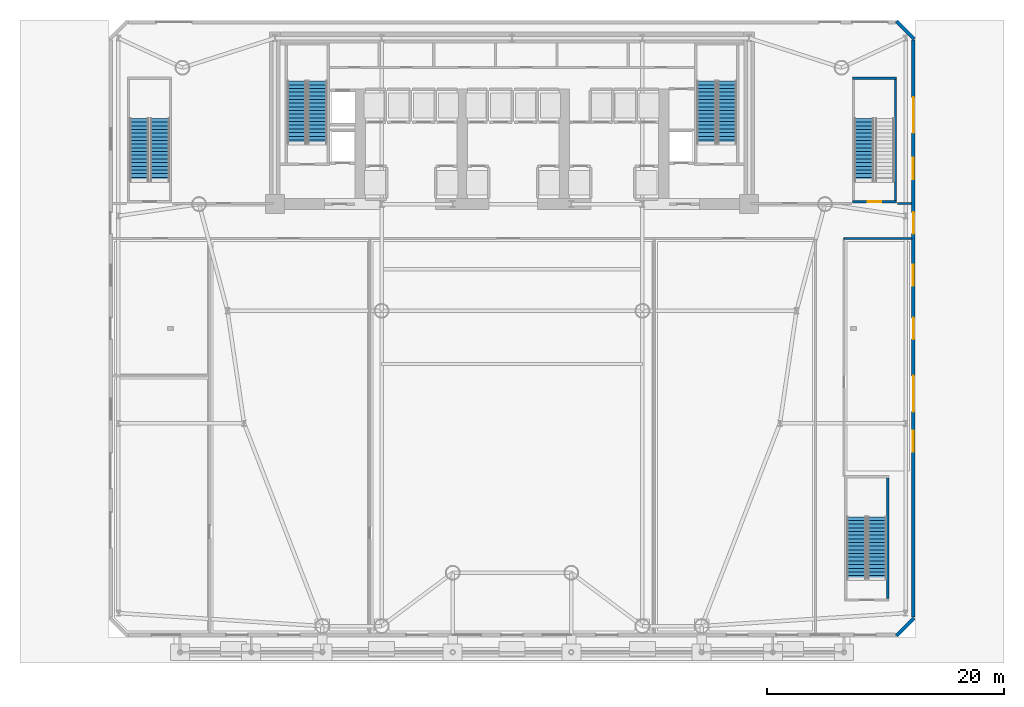
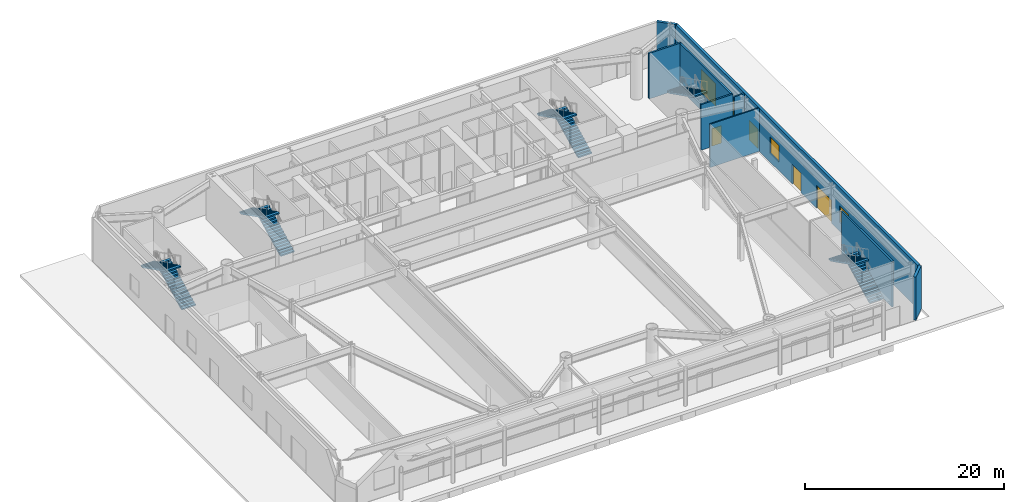
# One storey, part 11 of 20: 9 stair flights, 9 walls, 5 doors, 3 windows, 8 openings, 5 elements without a shape of their own.
"""IFC4 building model written with IfcOpenShell, lengths in metres."""

from ifc_helpers import new_model, si_unit, direction, frame, frame_2d, origin, place, context, subcontext, project, spatial, polyline, rectangle, outline, extrude, source, transform, mapped, material, layer, layer_set, type_object, element, fill, aggregate, save


model = new_model("IFC4")

# Units and contexts
model_context = context("Model", 3, precision=1e-05, world=origin(), true_north=direction((0.0, 1.0)))
body_context = subcontext(model_context, "Body", "Model", "MODEL_VIEW")
ifc_project = project(units=[si_unit("LENGTHUNIT", "METRE"), si_unit("AREAUNIT", "SQUARE_METRE"), si_unit("VOLUMEUNIT", "CUBIC_METRE"), si_unit("PLANEANGLEUNIT", "RADIAN"), si_unit("MASSUNIT", "GRAM", prefix="KILO")], contexts=[model_context])

# Site, building, storey
site_placement = place(None, origin())
site = spatial("IfcSite", under=ifc_project, at=site_placement, CompositionType="ELEMENT")
building_placement = place(site_placement, origin())
building = spatial("IfcBuilding", under=site, at=building_placement, Name="Vaeldorn Concourse Tower", CompositionType="ELEMENT")
storey_placement = place(building_placement, origin())
storey = spatial("IfcBuildingStorey", under=building, at=storey_placement, Name="L00", CompositionType="ELEMENT", Elevation=0.0)

# Wall
ifc_material_1 = material(Name="Precast concrete C40/50", Category="concrete")
ifc_layer_1 = layer(ifc_material_1, 0.300048828125)
ifc_layer_set_1 = layer_set([ifc_layer_1], Name="Precast concrete C40/50")
wall_type_1 = type_object("IfcWallType", Name="WL-EXT-STATION-300", PredefinedType="STANDARD", material=ifc_layer_set_1)
wall_1_placement = place(storey_placement, frame((66.42919921875, 51.920654296875, 0.0), z_axis=(0.0, 0.0, 1.0), x_axis=(0.707106781187, -0.707106781187, 0.0)))
element("IfcWall", 1, at=wall_1_placement, inside=storey, type_object=wall_type_1, Name="Station Ground Exterior Wall EW-L00-NE", PredefinedType="STANDARD", context=body_context, shape_type="SweptSolid", body=[
    extrude(rectangle(XDim=2.109130859375, YDim=0.300048828125, at=frame_2d((1.0546875, 0.0))), origin(), (0.0, 0.0, 1.0), 5.320068359375),
])

# Wall, openings, doors, windows
wall_2_placement = place(storey_placement, frame((67.85009765625, 50.340087890625, 0.0), z_axis=(0.0, 0.0, 1.0), x_axis=(0.0, -1.0, 0.0)))
wall_2 = element("IfcWall", 2, at=wall_2_placement, inside=storey, type_object=wall_type_1, Name="Station Ground Exterior Wall EW-L00-E", PredefinedType="STANDARD", context=body_context, shape_type="SweptSolid", body=[
    extrude(rectangle(XDim=48.68017578125, YDim=0.300048828125, at=frame_2d((24.340087890625, 0.0))), origin(), (0.0, 0.0, 1.0), 5.320068359375),
])
opening_1_placement = place(wall_2_placement, frame((14.5400390625, 0.0, 0.0)))
opening_1 = element("IfcOpeningElement", 3, at=opening_1_placement, cuts=wall_2, Name="Opening EX-1", PredefinedType="OPENING", context=body_context, shape_type="SweptSolid", body=[
    extrude(rectangle(XDim=1.800048828125, YDim=2.39990234375, at=frame_2d((0.89990234375, 1.199951171875))), frame((0.0, 0.16015625, 0.0), z_axis=(0.0, -1.0, 0.0), x_axis=(1.0, 0.0, 0.0)), (0.0, 0.0, 1.0), 0.320068359375),
])
opening_2_placement = place(wall_2_placement, frame((23.43994140625, 0.0, 0.0)))
opening_2 = element("IfcOpeningElement", 4, at=opening_2_placement, cuts=wall_2, Name="Opening EX-1", PredefinedType="OPENING", context=body_context, shape_type="SweptSolid", body=[
    extrude(rectangle(XDim=1.800048828125, YDim=2.39990234375, at=frame_2d((0.89990234375, 1.199951171875))), frame((0.0, 0.16015625, 0.0), z_axis=(0.0, -1.0, 0.0), x_axis=(1.0, 0.0, 0.0)), (0.0, 0.0, 1.0), 0.320068359375),
])
opening_3_placement = place(wall_2_placement, frame((4.840087890625, 0.0, 0.0)))
opening_3 = element("IfcOpeningElement", 5, at=opening_3_placement, cuts=wall_2, Name="Opening GT-1", PredefinedType="OPENING", context=body_context, shape_type="SweptSolid", body=[
    extrude(rectangle(XDim=3.0, YDim=2.800048828125, at=frame_2d((1.5, 1.39990234375))), frame((0.0, 0.16015625, 0.0), z_axis=(0.0, -1.0, 0.0), x_axis=(1.0, 0.0, 0.0)), (0.0, 0.0, 1.0), 0.320068359375),
])
opening_4_placement = place(wall_2_placement, frame((28.340087890625, 0.0, 0.0)))
opening_4 = element("IfcOpeningElement", 6, at=opening_4_placement, cuts=wall_2, Name="Opening GT-1", PredefinedType="OPENING", context=body_context, shape_type="SweptSolid", body=[
    extrude(rectangle(XDim=3.0, YDim=2.800048828125, at=frame_2d((1.5, 1.39990234375))), frame((0.0, 0.16015625, 0.0), z_axis=(0.0, -1.0, 0.0), x_axis=(1.0, 0.0, 0.0)), (0.0, 0.0, 1.0), 0.320068359375),
])
opening_5_placement = place(wall_2_placement, frame((32.93994140625, 0.0, 1.10009765625)))
opening_5 = element("IfcOpeningElement", 7, at=opening_5_placement, cuts=wall_2, Name="Opening WN-2", PredefinedType="OPENING", context=body_context, shape_type="SweptSolid", body=[
    extrude(rectangle(XDim=1.800048828125, YDim=2.0, at=frame_2d((0.89990234375, 1.0))), frame((0.0, 0.16015625, 0.0), z_axis=(0.0, -1.0, 0.0), x_axis=(1.0, 0.0, 0.0)), (0.0, 0.0, 1.0), 0.320068359375),
])
opening_6_placement = place(wall_2_placement, frame((18.93994140625, 0.0, 1.10009765625)))
opening_6 = element("IfcOpeningElement", 8, at=opening_6_placement, cuts=wall_2, Name="Opening WN-2", PredefinedType="OPENING", context=body_context, shape_type="SweptSolid", body=[
    extrude(rectangle(XDim=1.800048828125, YDim=2.0, at=frame_2d((0.89990234375, 1.0))), frame((0.0, 0.16015625, 0.0), z_axis=(0.0, -1.0, 0.0), x_axis=(1.0, 0.0, 0.0)), (0.0, 0.0, 1.0), 0.320068359375),
])
opening_7_placement = place(wall_2_placement, frame((9.93994140625, 0.0, 1.10009765625)))
opening_7 = element("IfcOpeningElement", 9, at=opening_7_placement, cuts=wall_2, Name="Opening WN-2", PredefinedType="OPENING", context=body_context, shape_type="SweptSolid", body=[
    extrude(rectangle(XDim=1.800048828125, YDim=2.0, at=frame_2d((0.89990234375, 1.0))), frame((0.0, 0.16015625, 0.0), z_axis=(0.0, -1.0, 0.0), x_axis=(1.0, 0.0, 0.0)), (0.0, 0.0, 1.0), 0.320068359375),
])
ifc_material_2 = material(Name="Anodised Bronze Aluminium", Category="aluminium")
door_type_1 = type_object("IfcDoorType", Name="DR-EXTERIOR-1800", OperationType="DOUBLE_DOOR_SINGLE_SWING", PredefinedType="DOOR", material=ifc_material_2)
shared_shape_1 = source(origin(), body_context, "Body", "SweptSolid", [
    extrude(rectangle(XDim=1.800048828125, YDim=2.39990234375, at=frame_2d((0.89990234375, 1.199951171875))), frame((0.0, 0.02490234375, 0.0), z_axis=(0.0, -1.0, 0.0), x_axis=(1.0, 0.0, 0.0)), (0.0, 0.0, 1.0), 0.050048828125),
])
door_1_placement = place(opening_1_placement, origin())
door_1 = element("IfcDoor", 10, at=door_1_placement, inside=storey, type_object=door_type_1, Name="Pedestrian Final Exit Door EX-10", OperationType="DOUBLE_DOOR_SINGLE_SWING", OverallHeight=2.39990234375, OverallWidth=1.800048828125, PredefinedType="DOOR", context=body_context, shape_type="MappedRepresentation", body=[
    mapped(shared_shape_1, transform((0.0, 0.0, 0.0), scale=1.0)),
])
fill(opening_1, door_1)
door_2_placement = place(opening_2_placement, origin())
door_2 = element("IfcDoor", 11, at=door_2_placement, inside=storey, type_object=door_type_1, Name="Pedestrian Final Exit Door EX-11", OperationType="DOUBLE_DOOR_SINGLE_SWING", OverallHeight=2.39990234375, OverallWidth=1.800048828125, PredefinedType="DOOR", context=body_context, shape_type="MappedRepresentation", body=[
    mapped(shared_shape_1, transform((0.0, 0.0, 0.0), scale=1.0)),
])
fill(opening_2, door_2)
ifc_material_3 = material(Name="Galvanised Steel Cladding", Category="steel")
door_type_2 = type_object("IfcDoorType", Name="DR-OUTSIDE-3000", OperationType="ROLLINGUP", PredefinedType="GATE", material=ifc_material_3)
shared_shape_2 = source(origin(), body_context, "Body", "SweptSolid", [
    extrude(rectangle(XDim=3.0, YDim=2.800048828125, at=frame_2d((1.5, 1.39990234375))), frame((0.0, 0.02490234375, 0.0), z_axis=(0.0, -1.0, 0.0), x_axis=(1.0, 0.0, 0.0)), (0.0, 0.0, 1.0), 0.050048828125),
])
door_3_placement = place(opening_3_placement, origin())
door_3 = element("IfcDoor", 12, at=door_3_placement, inside=storey, type_object=door_type_2, Name="Service Yard Roller Shutter Gate 5", OperationType="ROLLINGUP", OverallHeight=2.800048828125, OverallWidth=3.0, PredefinedType="GATE", context=body_context, shape_type="MappedRepresentation", body=[
    mapped(shared_shape_2, transform((0.0, 0.0, 0.0), scale=1.0)),
])
fill(opening_3, door_3)
door_4_placement = place(opening_4_placement, origin())
door_4 = element("IfcDoor", 13, at=door_4_placement, inside=storey, type_object=door_type_2, Name="Service Yard Roller Shutter Gate 6", OperationType="ROLLINGUP", OverallHeight=2.800048828125, OverallWidth=3.0, PredefinedType="GATE", context=body_context, shape_type="MappedRepresentation", body=[
    mapped(shared_shape_2, transform((0.0, 0.0, 0.0), scale=1.0)),
])
fill(opening_4, door_4)
ifc_material_4 = material(Name="Bronze Tinted Low-E Insulated Glass", Category="glass")
window_type = type_object("IfcWindowType", Name="WN-POD-1800x2000", PartitioningType="SINGLE_PANEL", PredefinedType="WINDOW", material=ifc_material_4)
shared_shape_3 = source(origin(), body_context, "Body", "SweptSolid", [
    extrude(rectangle(XDim=1.800048828125, YDim=2.0, at=frame_2d((0.89990234375, 1.0))), frame((0.0, 0.030029296875, 0.0), z_axis=(0.0, -1.0, 0.0), x_axis=(1.0, 0.0, 0.0)), (0.0, 0.0, 1.0), 0.06005859375),
])
window_1_placement = place(opening_5_placement, origin())
window_1 = element("IfcWindow", 14, at=window_1_placement, inside=storey, type_object=window_type, Name="Station East Window WN-E01", OverallHeight=2.0, OverallWidth=1.800048828125, PartitioningType="SINGLE_PANEL", PredefinedType="WINDOW", context=body_context, shape_type="MappedRepresentation", body=[
    mapped(shared_shape_3, transform((0.0, 0.0, 0.0), scale=1.0)),
])
fill(opening_5, window_1)
window_2_placement = place(opening_6_placement, origin())
window_2 = element("IfcWindow", 15, at=window_2_placement, inside=storey, type_object=window_type, Name="Station East Window WN-E02", OverallHeight=2.0, OverallWidth=1.800048828125, PartitioningType="SINGLE_PANEL", PredefinedType="WINDOW", context=body_context, shape_type="MappedRepresentation", body=[
    mapped(shared_shape_3, transform((0.0, 0.0, 0.0), scale=1.0)),
])
fill(opening_6, window_2)
window_3_placement = place(opening_7_placement, origin())
window_3 = element("IfcWindow", 16, at=window_3_placement, inside=storey, type_object=window_type, Name="Station East Window WN-E03", OverallHeight=2.0, OverallWidth=1.800048828125, PartitioningType="SINGLE_PANEL", PredefinedType="WINDOW", context=body_context, shape_type="MappedRepresentation", body=[
    mapped(shared_shape_3, transform((0.0, 0.0, 0.0), scale=1.0)),
])
fill(opening_7, window_3)

# Walls
wall_3_placement = place(storey_placement, frame((67.920654296875, 1.57080078125, 0.0), z_axis=(0.0, 0.0, 1.0), x_axis=(-0.707106781187, -0.707106781187, 0.0)))
element("IfcWall", 17, at=wall_3_placement, inside=storey, type_object=wall_type_1, Name="Station Ground Exterior Wall EW-L00-SE", PredefinedType="STANDARD", context=body_context, shape_type="SweptSolid", body=[
    extrude(rectangle(XDim=2.109130859375, YDim=0.300048828125, at=frame_2d((1.0546875, 0.0))), origin(), (0.0, 0.0, 1.0), 5.320068359375),
])
ifc_material_5 = material(Name="Gypsum Board Partition", Category="gypsum")
ifc_layer_2 = layer(ifc_material_5, 0.14990234375)
ifc_layer_set_2 = layer_set([ifc_layer_2], Name="Gypsum Board Partition")
wall_type_2 = type_object("IfcWallType", Name="WL-PART-150", PredefinedType="PARTITIONING", material=ifc_layer_set_2)
wall_4_placement = place(storey_placement, frame((62.0, 33.60009765625, 0.0), z_axis=(0.0, 0.0, 1.0), x_axis=(1.0, 0.0, 0.0)))
element("IfcWall", 18, at=wall_4_placement, inside=storey, type_object=wall_type_2, Name="Interior Wall PW-L00-CORE", PredefinedType="PARTITIONING", context=body_context, shape_type="SweptSolid", body=[
    extrude(rectangle(XDim=5.699951171875, YDim=0.14990234375, at=frame_2d((2.85009765625, 0.0))), origin(), (0.0, 0.0, 1.0), 5.320068359375),
])

# Wall, opening, door
ifc_material_6 = material(Name="Concrete C50/60", Category="concrete")
ifc_layer_3 = layer(ifc_material_6, 0.199951171875)
ifc_layer_set_3 = layer_set([ifc_layer_3], Name="Concrete C50/60")
wall_type_3 = type_object("IfcWallType", Name="WL-SHAFT-200", PredefinedType="SOLIDWALL", material=ifc_layer_set_3)
wall_5_placement = place(storey_placement, frame((62.699951171875, 36.699951171875, 0.0), z_axis=(0.0, 0.0, 1.0), x_axis=(1.0, 0.0, 0.0)))
wall_5 = element("IfcWall", 19, at=wall_5_placement, inside=storey, type_object=wall_type_3, Name="Stair Shaft Wall CW-L00-ST-4-S", PredefinedType="SOLIDWALL", context=body_context, shape_type="SweptSolid", body=[
    extrude(rectangle(XDim=3.75, YDim=0.199951171875, at=frame_2d((1.875, 0.0))), origin(), (0.0, 0.0, 1.0), 5.60009765625),
])
opening_8_placement = place(wall_5_placement, frame((1.324951171875, 0.0, 0.0)))
opening_8 = element("IfcOpeningElement", 20, at=opening_8_placement, cuts=wall_5, Name="Opening D-01", PredefinedType="OPENING", context=body_context, shape_type="SweptSolid", body=[
    extrude(rectangle(XDim=1.10009765625, YDim=2.14990234375, at=frame_2d((0.550048828125, 1.074951171875))), frame((0.0, 0.10986328125, 0.0), z_axis=(0.0, -1.0, 0.0), x_axis=(1.0, 0.0, 0.0)), (0.0, 0.0, 1.0), 0.219970703125),
])
ifc_material_7 = material(Name="Fire-Rated Timber and Steel Leaf", Category="steel")
door_type_3 = type_object("IfcDoorType", Name="DR-FD60-1100", OperationType="NOTDEFINED", PredefinedType="DOOR", material=ifc_material_7)
shared_shape_4 = source(origin(), body_context, "Body", "SweptSolid", [
    extrude(rectangle(XDim=1.10009765625, YDim=2.14990234375, at=frame_2d((0.550048828125, 1.074951171875))), frame((0.0, 0.02490234375, 0.0), z_axis=(0.0, -1.0, 0.0), x_axis=(1.0, 0.0, 0.0)), (0.0, 0.0, 1.0), 0.050048828125),
])
door_5_placement = place(opening_8_placement, origin())
door_5 = element("IfcDoor", 21, at=door_5_placement, inside=storey, type_object=door_type_3, Name="Interior Door DR-L00-ST-4", OperationType="SINGLE_SWING_RIGHT", OverallHeight=2.14990234375, OverallWidth=1.10009765625, PredefinedType="DOOR", context=body_context, shape_type="MappedRepresentation", body=[
    mapped(shared_shape_4, transform((0.0, 0.0, 0.0), scale=1.0)),
])
fill(opening_8, door_5)

# Walls
wall_6_placement = place(storey_placement, frame((62.699951171875, 47.10009765625, 0.0), z_axis=(0.0, 0.0, 1.0), x_axis=(1.0, 0.0, 0.0)))
element("IfcWall", 22, at=wall_6_placement, inside=storey, type_object=wall_type_3, Name="Stair Shaft Wall CW-L00-ST-4-N", PredefinedType="SOLIDWALL", context=body_context, shape_type="SweptSolid", body=[
    extrude(rectangle(XDim=3.75, YDim=0.199951171875, at=frame_2d((1.875, 0.0))), origin(), (0.0, 0.0, 1.0), 5.60009765625),
])
for number, where, z_axis, x_axis, name in (
    (23, (66.35009765625, 36.81005859375, 0.0), (0.0, 0.0, 1.0), (0.0, 1.0, 0.0), "Stair Shaft Wall CW-L00-ST-4-E"),
    (24, (65.699951171875, 3.2099609375, 0.0), (0.0, 0.0, 1.0), (0.0, 1.0, 0.0), "Stair Shaft Wall CW-L00-ST-5-E"),
):
    element("IfcWall", number, at=place(storey_placement, frame(where, z_axis=z_axis, x_axis=x_axis)), inside=storey, type_object=wall_type_3, Name=name, PredefinedType="SOLIDWALL", context=body_context, shape_type="SweptSolid", body=[
        extrude(rectangle(XDim=10.179931640625, YDim=0.199951171875, at=frame_2d((5.08984375, 0.0))), origin(), (0.0, 0.0, 1.0), 5.60009765625),
    ])
wall_7_placement = place(storey_placement, frame((66.5, 36.550048828125, 0.0), z_axis=(0.0, 0.0, 1.0), x_axis=(1.0, 0.0, 0.0)))
element("IfcWall", 25, at=wall_7_placement, inside=storey, type_object=wall_type_3, Name="Interior Wall PW-L00-BNE2", PredefinedType="SOLIDWALL", context=body_context, shape_type="SweptSolid", body=[
    extrude(rectangle(XDim=1.199951171875, YDim=0.199951171875, at=frame_2d((0.60009765625, 0.0))), origin(), (0.0, 0.0, 1.0), 5.320068359375),
])

# Stair, stair flights
stair_type = type_object("IfcStairType", Name="STR-DOG-36x156", PredefinedType="HALF_TURN_STAIR", material=ifc_material_1)
stair_1_placement = place(storey_placement, origin())
stair_1 = element("IfcStair", 26, at=stair_1_placement, inside=storey, type_object=stair_type, Name="L00 West Core Exit Stair ST-1", PredefinedType="HALF_TURN_STAIR")
stair_flight_type = type_object("IfcStairFlightType", Name="STF-STR-18x156", PredefinedType="STRAIGHT", material=ifc_material_1)
stair_flight_1_placement = place(storey_placement, frame((17.60009765625, 41.60009765625, 0.0), z_axis=(0.0, 0.0, 1.0), x_axis=(0.0, 1.0, 0.0)))
stair_flight_1 = element("IfcStairFlight", 27, at=stair_flight_1_placement, type_object=stair_flight_type, Name="ST-1 flight 1", NumberOfRisers=18, NumberOfTreads=17, PredefinedType="STRAIGHT", RiserHeight=0.155555556, TreadLength=0.31, context=body_context, shape_type="SweptSolid", body=[
    extrude(outline(polyline([(0.0, 0.0), (0.0, 0.155517578125), (0.31005859375, 0.155517578125), (0.31005859375, 0.31103515625), (0.6201171875, 0.31103515625), (0.6201171875, 0.466552734375), (0.929931640625, 0.466552734375), (0.929931640625, 0.622314453125), (1.239990234375, 0.622314453125), (1.239990234375, 0.77783203125), (1.550048828125, 0.77783203125), (1.550048828125, 0.933349609375), (1.860107421875, 0.933349609375), (1.860107421875, 1.0888671875), (2.169921875, 1.0888671875), (2.169921875, 1.244384765625), (2.47998046875, 1.244384765625), (2.47998046875, 1.39990234375), (2.7900390625, 1.39990234375), (2.7900390625, 1.5556640625), (3.10009765625, 1.5556640625), (3.10009765625, 1.711181640625), (3.409912109375, 1.711181640625), (3.409912109375, 1.86669921875), (3.719970703125, 1.86669921875), (3.719970703125, 2.022216796875), (4.030029296875, 2.022216796875), (4.030029296875, 2.177734375), (4.340087890625, 2.177734375), (4.340087890625, 2.333251953125), (4.64990234375, 2.333251953125), (4.64990234375, 2.48876953125), (4.9599609375, 2.48876953125), (4.9599609375, 2.64453125), (5.27001953125, 2.64453125), (5.27001953125, 2.800048828125), (5.27001953125, 2.476806640625), (0.334228515625, 0.0), (0.0, 0.0)])), frame((0.0, 0.800048828125, 0.0), z_axis=(0.0, -1.0, 0.0), x_axis=(1.0, 0.0, 0.0)), (0.0, 0.0, 1.0), 1.60009765625),
])
stair_flight_2_placement = place(storey_placement, frame((15.85009765625, 46.8701171875, 2.800048828125), z_axis=(0.0, 0.0, 1.0), x_axis=(0.0, -1.0, 0.0)))
stair_flight_2 = element("IfcStairFlight", 28, at=stair_flight_2_placement, type_object=stair_flight_type, Name="ST-1 flight 2", NumberOfRisers=18, NumberOfTreads=17, PredefinedType="STRAIGHT", RiserHeight=0.155555556, TreadLength=0.31, context=body_context, shape_type="SweptSolid", body=[
    extrude(outline(polyline([(0.0, 0.0), (0.0, 0.155517578125), (0.31005859375, 0.155517578125), (0.31005859375, 0.31103515625), (0.6201171875, 0.31103515625), (0.6201171875, 0.466552734375), (0.929931640625, 0.466552734375), (0.929931640625, 0.622314453125), (1.239990234375, 0.622314453125), (1.239990234375, 0.77783203125), (1.550048828125, 0.77783203125), (1.550048828125, 0.933349609375), (1.860107421875, 0.933349609375), (1.860107421875, 1.0888671875), (2.169921875, 1.0888671875), (2.169921875, 1.244384765625), (2.47998046875, 1.244384765625), (2.47998046875, 1.39990234375), (2.7900390625, 1.39990234375), (2.7900390625, 1.5556640625), (3.10009765625, 1.5556640625), (3.10009765625, 1.711181640625), (3.409912109375, 1.711181640625), (3.409912109375, 1.86669921875), (3.719970703125, 1.86669921875), (3.719970703125, 2.022216796875), (4.030029296875, 2.022216796875), (4.030029296875, 2.177734375), (4.340087890625, 2.177734375), (4.340087890625, 2.333251953125), (4.64990234375, 2.333251953125), (4.64990234375, 2.48876953125), (4.9599609375, 2.48876953125), (4.9599609375, 2.64453125), (5.27001953125, 2.64453125), (5.27001953125, 2.800048828125), (5.27001953125, 2.476806640625), (0.334228515625, 0.0), (0.0, 0.0)])), frame((0.0, 0.800048828125, 0.0), z_axis=(0.0, -1.0, 0.0), x_axis=(1.0, 0.0, 0.0)), (0.0, 0.0, 1.0), 1.60009765625),
])
aggregate(stair_1, [stair_flight_1, stair_flight_2])

stair_2_placement = place(storey_placement, origin())
stair_2 = element("IfcStair", 29, at=stair_2_placement, inside=storey, type_object=stair_type, Name="L00 East Core Exit Stair ST-2", PredefinedType="HALF_TURN_STAIR")
stair_flight_3_placement = place(storey_placement, frame((52.14990234375, 41.60009765625, 0.0), z_axis=(0.0, 0.0, 1.0), x_axis=(0.0, 1.0, 0.0)))
stair_flight_3 = element("IfcStairFlight", 30, at=stair_flight_3_placement, type_object=stair_flight_type, Name="ST-2 flight 1", NumberOfRisers=18, NumberOfTreads=17, PredefinedType="STRAIGHT", RiserHeight=0.155555556, TreadLength=0.31, context=body_context, shape_type="SweptSolid", body=[
    extrude(outline(polyline([(0.0, 0.0), (0.0, 0.155517578125), (0.31005859375, 0.155517578125), (0.31005859375, 0.31103515625), (0.6201171875, 0.31103515625), (0.6201171875, 0.466552734375), (0.929931640625, 0.466552734375), (0.929931640625, 0.622314453125), (1.239990234375, 0.622314453125), (1.239990234375, 0.77783203125), (1.550048828125, 0.77783203125), (1.550048828125, 0.933349609375), (1.860107421875, 0.933349609375), (1.860107421875, 1.0888671875), (2.169921875, 1.0888671875), (2.169921875, 1.244384765625), (2.47998046875, 1.244384765625), (2.47998046875, 1.39990234375), (2.7900390625, 1.39990234375), (2.7900390625, 1.5556640625), (3.10009765625, 1.5556640625), (3.10009765625, 1.711181640625), (3.409912109375, 1.711181640625), (3.409912109375, 1.86669921875), (3.719970703125, 1.86669921875), (3.719970703125, 2.022216796875), (4.030029296875, 2.022216796875), (4.030029296875, 2.177734375), (4.340087890625, 2.177734375), (4.340087890625, 2.333251953125), (4.64990234375, 2.333251953125), (4.64990234375, 2.48876953125), (4.9599609375, 2.48876953125), (4.9599609375, 2.64453125), (5.27001953125, 2.64453125), (5.27001953125, 2.800048828125), (5.27001953125, 2.476806640625), (0.334228515625, 0.0), (0.0, 0.0)])), frame((0.0, 0.800048828125, 0.0), z_axis=(0.0, -1.0, 0.0), x_axis=(1.0, 0.0, 0.0)), (0.0, 0.0, 1.0), 1.60009765625),
])
stair_flight_4_placement = place(storey_placement, frame((50.39990234375, 46.8701171875, 2.800048828125), z_axis=(0.0, 0.0, 1.0), x_axis=(0.0, -1.0, 0.0)))
stair_flight_4 = element("IfcStairFlight", 31, at=stair_flight_4_placement, type_object=stair_flight_type, Name="ST-2 flight 2", NumberOfRisers=18, NumberOfTreads=17, PredefinedType="STRAIGHT", RiserHeight=0.155555556, TreadLength=0.31, context=body_context, shape_type="SweptSolid", body=[
    extrude(outline(polyline([(0.0, 0.0), (0.0, 0.155517578125), (0.31005859375, 0.155517578125), (0.31005859375, 0.31103515625), (0.6201171875, 0.31103515625), (0.6201171875, 0.466552734375), (0.929931640625, 0.466552734375), (0.929931640625, 0.622314453125), (1.239990234375, 0.622314453125), (1.239990234375, 0.77783203125), (1.550048828125, 0.77783203125), (1.550048828125, 0.933349609375), (1.860107421875, 0.933349609375), (1.860107421875, 1.0888671875), (2.169921875, 1.0888671875), (2.169921875, 1.244384765625), (2.47998046875, 1.244384765625), (2.47998046875, 1.39990234375), (2.7900390625, 1.39990234375), (2.7900390625, 1.5556640625), (3.10009765625, 1.5556640625), (3.10009765625, 1.711181640625), (3.409912109375, 1.711181640625), (3.409912109375, 1.86669921875), (3.719970703125, 1.86669921875), (3.719970703125, 2.022216796875), (4.030029296875, 2.022216796875), (4.030029296875, 2.177734375), (4.340087890625, 2.177734375), (4.340087890625, 2.333251953125), (4.64990234375, 2.333251953125), (4.64990234375, 2.48876953125), (4.9599609375, 2.48876953125), (4.9599609375, 2.64453125), (5.27001953125, 2.64453125), (5.27001953125, 2.800048828125), (5.27001953125, 2.476806640625), (0.334228515625, 0.0), (0.0, 0.0)])), frame((0.0, 0.800048828125, 0.0), z_axis=(0.0, -1.0, 0.0), x_axis=(1.0, 0.0, 0.0)), (0.0, 0.0, 1.0), 1.60009765625),
])
aggregate(stair_2, [stair_flight_3, stair_flight_4])

stair_3_placement = place(storey_placement, origin())
stair_3 = element("IfcStair", 32, at=stair_3_placement, inside=storey, type_object=stair_type, Name="L00 Station West Exit Stair ST-3", PredefinedType="HALF_TURN_STAIR")
stair_flight_5_placement = place(storey_placement, frame((4.300048828125, 38.449951171875, 0.0), z_axis=(0.0, 0.0, 1.0), x_axis=(0.0, 1.0, 0.0)))
stair_flight_5 = element("IfcStairFlight", 33, at=stair_flight_5_placement, type_object=stair_flight_type, Name="ST-3 flight 1", NumberOfRisers=18, NumberOfTreads=17, PredefinedType="STRAIGHT", RiserHeight=0.155555556, TreadLength=0.31, context=body_context, shape_type="SweptSolid", body=[
    extrude(outline(polyline([(0.0, 0.0), (0.0, 0.155517578125), (0.31005859375, 0.155517578125), (0.31005859375, 0.31103515625), (0.6201171875, 0.31103515625), (0.6201171875, 0.466552734375), (0.929931640625, 0.466552734375), (0.929931640625, 0.622314453125), (1.239990234375, 0.622314453125), (1.239990234375, 0.77783203125), (1.550048828125, 0.77783203125), (1.550048828125, 0.933349609375), (1.860107421875, 0.933349609375), (1.860107421875, 1.0888671875), (2.169921875, 1.0888671875), (2.169921875, 1.244384765625), (2.47998046875, 1.244384765625), (2.47998046875, 1.39990234375), (2.7900390625, 1.39990234375), (2.7900390625, 1.5556640625), (3.10009765625, 1.5556640625), (3.10009765625, 1.711181640625), (3.409912109375, 1.711181640625), (3.409912109375, 1.86669921875), (3.719970703125, 1.86669921875), (3.719970703125, 2.022216796875), (4.030029296875, 2.022216796875), (4.030029296875, 2.177734375), (4.340087890625, 2.177734375), (4.340087890625, 2.333251953125), (4.64990234375, 2.333251953125), (4.64990234375, 2.48876953125), (4.9599609375, 2.48876953125), (4.9599609375, 2.64453125), (5.27001953125, 2.64453125), (5.27001953125, 2.800048828125), (5.27001953125, 2.476806640625), (0.334228515625, 0.0), (0.0, 0.0)])), frame((0.0, 0.800048828125, 0.0), z_axis=(0.0, -1.0, 0.0), x_axis=(1.0, 0.0, 0.0)), (0.0, 0.0, 1.0), 1.60009765625),
])
stair_flight_6_placement = place(storey_placement, frame((2.550048828125, 43.719970703125, 2.800048828125), z_axis=(0.0, 0.0, 1.0), x_axis=(0.0, -1.0, 0.0)))
stair_flight_6 = element("IfcStairFlight", 34, at=stair_flight_6_placement, type_object=stair_flight_type, Name="ST-3 flight 2", NumberOfRisers=18, NumberOfTreads=17, PredefinedType="STRAIGHT", RiserHeight=0.155555556, TreadLength=0.31, context=body_context, shape_type="SweptSolid", body=[
    extrude(outline(polyline([(0.0, 0.0), (0.0, 0.155517578125), (0.31005859375, 0.155517578125), (0.31005859375, 0.31103515625), (0.6201171875, 0.31103515625), (0.6201171875, 0.466552734375), (0.929931640625, 0.466552734375), (0.929931640625, 0.622314453125), (1.239990234375, 0.622314453125), (1.239990234375, 0.77783203125), (1.550048828125, 0.77783203125), (1.550048828125, 0.933349609375), (1.860107421875, 0.933349609375), (1.860107421875, 1.0888671875), (2.169921875, 1.0888671875), (2.169921875, 1.244384765625), (2.47998046875, 1.244384765625), (2.47998046875, 1.39990234375), (2.7900390625, 1.39990234375), (2.7900390625, 1.5556640625), (3.10009765625, 1.5556640625), (3.10009765625, 1.711181640625), (3.409912109375, 1.711181640625), (3.409912109375, 1.86669921875), (3.719970703125, 1.86669921875), (3.719970703125, 2.022216796875), (4.030029296875, 2.022216796875), (4.030029296875, 2.177734375), (4.340087890625, 2.177734375), (4.340087890625, 2.333251953125), (4.64990234375, 2.333251953125), (4.64990234375, 2.48876953125), (4.9599609375, 2.48876953125), (4.9599609375, 2.64453125), (5.27001953125, 2.64453125), (5.27001953125, 2.800048828125), (5.27001953125, 2.476806640625), (0.334228515625, 0.0), (0.0, 0.0)])), frame((0.0, 0.800048828125, 0.0), z_axis=(0.0, -1.0, 0.0), x_axis=(1.0, 0.0, 0.0)), (0.0, 0.0, 1.0), 1.60009765625),
])
aggregate(stair_3, [stair_flight_5, stair_flight_6])

# Stair, stair flight
stair_4_placement = place(storey_placement, origin())
stair_4 = element("IfcStair", 35, at=stair_4_placement, inside=storey, type_object=stair_type, Name="L00 Station East Exit Stair ST-4", PredefinedType="HALF_TURN_STAIR")
stair_flight_7_placement = place(storey_placement, frame((63.699951171875, 43.719970703125, 2.800048828125), z_axis=(0.0, 0.0, 1.0), x_axis=(0.0, -1.0, 0.0)))
stair_flight_7 = element("IfcStairFlight", 36, at=stair_flight_7_placement, type_object=stair_flight_type, Name="ST-4 flight 2", NumberOfRisers=18, NumberOfTreads=17, PredefinedType="STRAIGHT", RiserHeight=0.155555556, TreadLength=0.31, context=body_context, shape_type="SweptSolid", body=[
    extrude(outline(polyline([(0.0, 0.0), (0.0, 0.155517578125), (0.31005859375, 0.155517578125), (0.31005859375, 0.31103515625), (0.6201171875, 0.31103515625), (0.6201171875, 0.466552734375), (0.929931640625, 0.466552734375), (0.929931640625, 0.622314453125), (1.239990234375, 0.622314453125), (1.239990234375, 0.77783203125), (1.550048828125, 0.77783203125), (1.550048828125, 0.933349609375), (1.860107421875, 0.933349609375), (1.860107421875, 1.0888671875), (2.169921875, 1.0888671875), (2.169921875, 1.244384765625), (2.47998046875, 1.244384765625), (2.47998046875, 1.39990234375), (2.7900390625, 1.39990234375), (2.7900390625, 1.5556640625), (3.10009765625, 1.5556640625), (3.10009765625, 1.711181640625), (3.409912109375, 1.711181640625), (3.409912109375, 1.86669921875), (3.719970703125, 1.86669921875), (3.719970703125, 2.022216796875), (4.030029296875, 2.022216796875), (4.030029296875, 2.177734375), (4.340087890625, 2.177734375), (4.340087890625, 2.333251953125), (4.64990234375, 2.333251953125), (4.64990234375, 2.48876953125), (4.9599609375, 2.48876953125), (4.9599609375, 2.64453125), (5.27001953125, 2.64453125), (5.27001953125, 2.800048828125), (5.27001953125, 2.476806640625), (0.334228515625, 0.0), (0.0, 0.0)])), frame((0.0, 0.800048828125, 0.0), z_axis=(0.0, -1.0, 0.0), x_axis=(1.0, 0.0, 0.0)), (0.0, 0.0, 1.0), 1.60009765625),
])
aggregate(stair_4, [stair_flight_7])

# Stair, stair flights
stair_5_placement = place(storey_placement, origin())
stair_5 = element("IfcStair", 37, at=stair_5_placement, inside=storey, type_object=stair_type, Name="L00 Podium Auditorium Exit Stair ST-5", PredefinedType="HALF_TURN_STAIR")
stair_flight_8_placement = place(storey_placement, frame((64.800048828125, 4.85009765625, 0.0), z_axis=(0.0, 0.0, 1.0), x_axis=(0.0, 1.0, 0.0)))
stair_flight_8 = element("IfcStairFlight", 38, at=stair_flight_8_placement, type_object=stair_flight_type, Name="ST-5 flight 1", NumberOfRisers=18, NumberOfTreads=17, PredefinedType="STRAIGHT", RiserHeight=0.155555556, TreadLength=0.31, context=body_context, shape_type="SweptSolid", body=[
    extrude(outline(polyline([(0.0, 0.0), (0.0, 0.155517578125), (0.31005859375, 0.155517578125), (0.31005859375, 0.31103515625), (0.6201171875, 0.31103515625), (0.6201171875, 0.466552734375), (0.929931640625, 0.466552734375), (0.929931640625, 0.622314453125), (1.239990234375, 0.622314453125), (1.239990234375, 0.77783203125), (1.550048828125, 0.77783203125), (1.550048828125, 0.933349609375), (1.860107421875, 0.933349609375), (1.860107421875, 1.0888671875), (2.169921875, 1.0888671875), (2.169921875, 1.244384765625), (2.47998046875, 1.244384765625), (2.47998046875, 1.39990234375), (2.7900390625, 1.39990234375), (2.7900390625, 1.5556640625), (3.10009765625, 1.5556640625), (3.10009765625, 1.711181640625), (3.409912109375, 1.711181640625), (3.409912109375, 1.86669921875), (3.719970703125, 1.86669921875), (3.719970703125, 2.022216796875), (4.030029296875, 2.022216796875), (4.030029296875, 2.177734375), (4.340087890625, 2.177734375), (4.340087890625, 2.333251953125), (4.64990234375, 2.333251953125), (4.64990234375, 2.48876953125), (4.9599609375, 2.48876953125), (4.9599609375, 2.64453125), (5.27001953125, 2.64453125), (5.27001953125, 2.800048828125), (5.27001953125, 2.476806640625), (0.334228515625, 0.0), (0.0, 0.0)])), frame((0.0, 0.800048828125, 0.0), z_axis=(0.0, -1.0, 0.0), x_axis=(1.0, 0.0, 0.0)), (0.0, 0.0, 1.0), 1.60009765625),
])
stair_flight_9_placement = place(storey_placement, frame((63.050048828125, 10.1201171875, 2.800048828125), z_axis=(0.0, 0.0, 1.0), x_axis=(0.0, -1.0, 0.0)))
stair_flight_9 = element("IfcStairFlight", 39, at=stair_flight_9_placement, type_object=stair_flight_type, Name="ST-5 flight 2", NumberOfRisers=18, NumberOfTreads=17, PredefinedType="STRAIGHT", RiserHeight=0.155555556, TreadLength=0.31, context=body_context, shape_type="SweptSolid", body=[
    extrude(outline(polyline([(0.0, 0.0), (0.0, 0.155517578125), (0.31005859375, 0.155517578125), (0.31005859375, 0.31103515625), (0.6201171875, 0.31103515625), (0.6201171875, 0.466552734375), (0.929931640625, 0.466552734375), (0.929931640625, 0.622314453125), (1.239990234375, 0.622314453125), (1.239990234375, 0.77783203125), (1.550048828125, 0.77783203125), (1.550048828125, 0.933349609375), (1.860107421875, 0.933349609375), (1.860107421875, 1.0888671875), (2.169921875, 1.0888671875), (2.169921875, 1.244384765625), (2.47998046875, 1.244384765625), (2.47998046875, 1.39990234375), (2.7900390625, 1.39990234375), (2.7900390625, 1.5556640625), (3.10009765625, 1.5556640625), (3.10009765625, 1.711181640625), (3.409912109375, 1.711181640625), (3.409912109375, 1.86669921875), (3.719970703125, 1.86669921875), (3.719970703125, 2.022216796875), (4.030029296875, 2.022216796875), (4.030029296875, 2.177734375), (4.340087890625, 2.177734375), (4.340087890625, 2.333251953125), (4.64990234375, 2.333251953125), (4.64990234375, 2.48876953125), (4.9599609375, 2.48876953125), (4.9599609375, 2.64453125), (5.27001953125, 2.64453125), (5.27001953125, 2.800048828125), (5.27001953125, 2.476806640625), (0.334228515625, 0.0), (0.0, 0.0)])), frame((0.0, 0.800048828125, 0.0), z_axis=(0.0, -1.0, 0.0), x_axis=(1.0, 0.0, 0.0)), (0.0, 0.0, 1.0), 1.60009765625),
])
aggregate(stair_5, [stair_flight_8, stair_flight_9])

save(model, "model.ifc")
